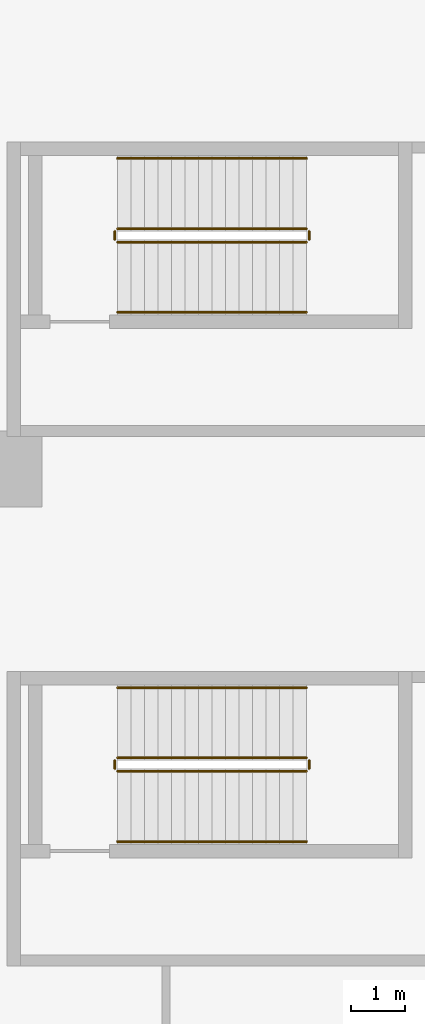
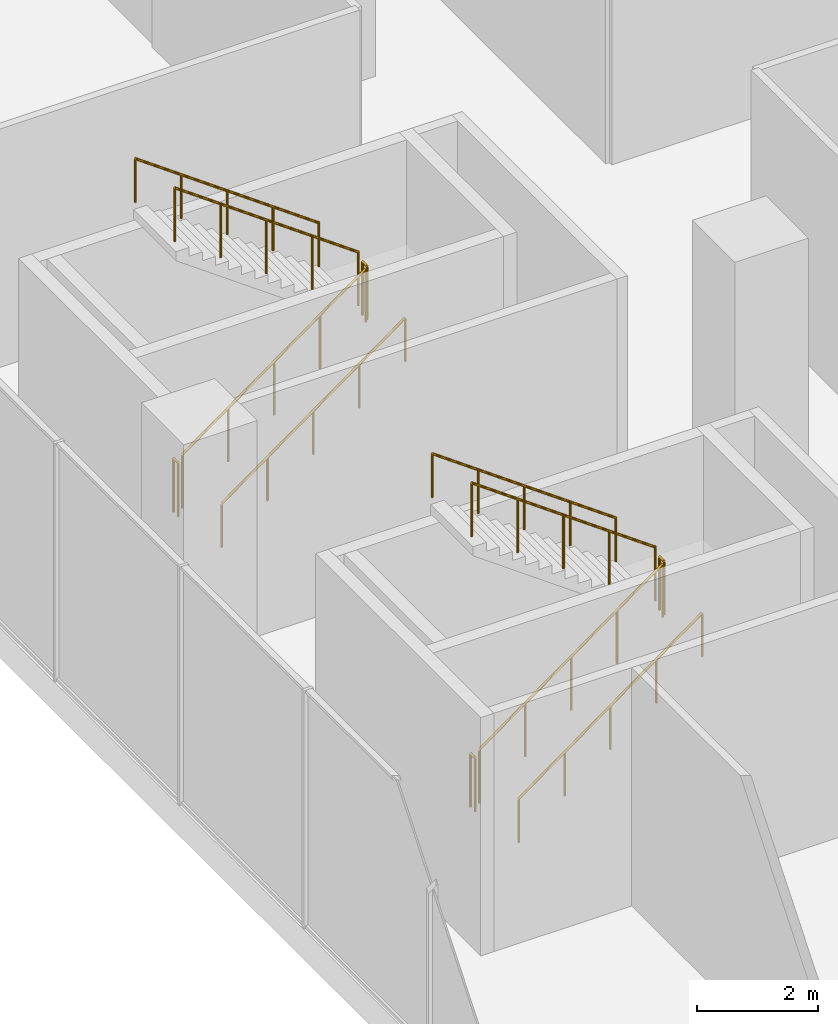
# One storey, part 21 of 23: 12 railings.
"""IFC4 building model written with IfcOpenShell, lengths in metres."""

from ifc_helpers import new_model, si_unit, direction, frame, origin, origin_2d, place, context, subcontext, project, spatial, circle, extrude, source, transform, mapped, material, type_object, element, save


model = new_model("IFC4")

# Units and contexts
model_context = context("Model", 3, precision=1e-05, world=origin(), true_north=direction((0.0, 1.0)))
body_context = subcontext(model_context, "Body", "Model", "MODEL_VIEW")
ifc_project = project(units=[si_unit("LENGTHUNIT", "METRE"), si_unit("AREAUNIT", "SQUARE_METRE"), si_unit("VOLUMEUNIT", "CUBIC_METRE"), si_unit("PLANEANGLEUNIT", "RADIAN"), si_unit("MASSUNIT", "GRAM", prefix="KILO")], contexts=[model_context])

# Site, building, storey
site_placement = place(None, origin())
site = spatial("IfcSite", under=ifc_project, at=site_placement, CompositionType="ELEMENT")
building_placement = place(site_placement, origin())
building = spatial("IfcBuilding", under=site, at=building_placement, Name="Aurelian Terraces", CompositionType="ELEMENT")
storey_placement = place(building_placement, frame((0.0, 0.0, 18.3)))
storey = spatial("IfcBuildingStorey", under=building, at=storey_placement, Name="L03", CompositionType="ELEMENT", Elevation=18.3)

# Railings
ifc_material = material(Name="Stainless steel", Category="steel")
railing_type_1 = type_object("IfcRailingType", Name="Stair guard 1100", PredefinedType="GUARDRAIL", material=ifc_material)
shared_shape_1 = source(origin(), body_context, "Body", "SweptSolid", [
    extrude(circle(Radius=0.024, at=origin_2d()), frame((0.0, 0.0, 1.076), z_axis=(0.0, 1.0, 0.0), x_axis=(-1.0, 0.0, 0.0)), (0.0, 0.0, 1.0), 0.15),
    extrude(circle(Radius=0.021, at=origin_2d()), origin(), (0.0, 0.0, 1.0), 1.052),
    extrude(circle(Radius=0.021, at=origin_2d()), frame((0.0, 0.15, 0.0)), (0.0, 0.0, 1.0), 1.052),
])
for number, where, name in (
    (1, (5.65, 42.05, 2.7), "L03 S3 stair guard 2"),
    (2, (2.05, 42.05, 0.0), "L03 S3 stair guard 4"),
    (3, (5.65, 32.25, 2.7), "L03 S4 stair guard 2"),
    (4, (2.05, 32.25, 0.0), "L03 S4 stair guard 4"),
):
    element("IfcRailing", number, at=place(storey_placement, frame(where)), inside=storey, type_object=railing_type_1, Name=name, PredefinedType="GUARDRAIL", context=body_context, shape_type="MappedRepresentation", body=[
        mapped(shared_shape_1, transform((0.0, 0.0, 0.0), scale=1.0)),
    ])
shared_shape_2 = source(origin(), body_context, "Body", "SweptSolid", [
    extrude(circle(Radius=0.024, at=origin_2d()), frame((0.0, 0.0, 1.076), z_axis=(0.811534341451, 0.0, 0.584304725845), x_axis=(0.0, 1.0, 0.0)), (0.0, 0.0, 1.0), 4.3128),
    extrude(circle(Radius=0.021, at=origin_2d()), origin(), (0.0, 0.0, 1.0), 1.052),
    extrude(circle(Radius=0.021, at=origin_2d()), frame((0.875, 0.0, 0.63)), (0.0, 0.0, 1.0), 1.052),
    extrude(circle(Radius=0.021, at=origin_2d()), frame((1.75, 0.0, 1.26)), (0.0, 0.0, 1.0), 1.052),
    extrude(circle(Radius=0.021, at=origin_2d()), frame((2.625, 0.0, 1.89)), (0.0, 0.0, 1.0), 1.052),
    extrude(circle(Radius=0.021, at=origin_2d()), frame((3.5, 0.0, 2.52)), (0.0, 0.0, 1.0), 1.052),
])
for number, where, name in (
    (5, (2.1, 42.0, 0.18), "L03 S3 stair guard 1"),
    (6, (2.1, 32.2, 0.18), "L03 S4 stair guard 1"),
):
    element("IfcRailing", number, at=place(storey_placement, frame(where)), inside=storey, type_object=railing_type_1, Name=name, PredefinedType="GUARDRAIL", context=body_context, shape_type="MappedRepresentation", body=[
        mapped(shared_shape_2, transform((0.0, 0.0, 0.0), scale=1.0)),
    ])
shared_shape_3 = source(origin(), body_context, "Body", "SweptSolid", [
    extrude(circle(Radius=0.024, at=origin_2d()), frame((0.0, 0.0, 1.076), z_axis=(-0.811534341451, 0.0, 0.584304725845), x_axis=(0.0, -1.0, 0.0)), (0.0, 0.0, 1.0), 4.3128),
    extrude(circle(Radius=0.021, at=origin_2d()), origin(), (0.0, 0.0, 1.0), 1.052),
    extrude(circle(Radius=0.021, at=origin_2d()), frame((-0.875, 0.0, 0.63)), (0.0, 0.0, 1.0), 1.052),
    extrude(circle(Radius=0.021, at=origin_2d()), frame((-1.75, 0.0, 1.26)), (0.0, 0.0, 1.0), 1.052),
    extrude(circle(Radius=0.021, at=origin_2d()), frame((-2.625, 0.0, 1.89)), (0.0, 0.0, 1.0), 1.052),
    extrude(circle(Radius=0.021, at=origin_2d()), frame((-3.5, 0.0, 2.52)), (0.0, 0.0, 1.0), 1.052),
])
for number, where, name in (
    (7, (5.6, 42.25, 2.88), "L03 S3 stair guard 3"),
    (8, (5.6, 32.45, 2.88), "L03 S4 stair guard 3"),
):
    element("IfcRailing", number, at=place(storey_placement, frame(where)), inside=storey, type_object=railing_type_1, Name=name, PredefinedType="GUARDRAIL", context=body_context, shape_type="MappedRepresentation", body=[
        mapped(shared_shape_3, transform((0.0, 0.0, 0.0), scale=1.0)),
    ])
railing_type_2 = type_object("IfcRailingType", Name="Stair handrail", PredefinedType="HANDRAIL", material=ifc_material)
shared_shape_4 = source(origin(), body_context, "Body", "SweptSolid", [
    extrude(circle(Radius=0.024, at=origin_2d()), frame((0.0, 0.0, 0.876), z_axis=(0.811534341451, 0.0, 0.584304725845), x_axis=(0.0, 1.0, 0.0)), (0.0, 0.0, 1.0), 4.3128),
    extrude(circle(Radius=0.021, at=origin_2d()), origin(), (0.0, 0.0, 1.0), 0.852),
    extrude(circle(Radius=0.021, at=origin_2d()), frame((0.875, 0.0, 0.63)), (0.0, 0.0, 1.0), 0.852),
    extrude(circle(Radius=0.021, at=origin_2d()), frame((1.75, 0.0, 1.26)), (0.0, 0.0, 1.0), 0.852),
    extrude(circle(Radius=0.021, at=origin_2d()), frame((2.625, 0.0, 1.89)), (0.0, 0.0, 1.0), 0.852),
    extrude(circle(Radius=0.021, at=origin_2d()), frame((3.5, 0.0, 2.52)), (0.0, 0.0, 1.0), 0.852),
])
for number, where, name in (
    (9, (2.1, 40.7, 0.18), "L03 S3 stair handrail 1"),
    (10, (2.1, 30.9, 0.18), "L03 S4 stair handrail 1"),
):
    element("IfcRailing", number, at=place(storey_placement, frame(where)), inside=storey, type_object=railing_type_2, Name=name, PredefinedType="HANDRAIL", context=body_context, shape_type="MappedRepresentation", body=[
        mapped(shared_shape_4, transform((0.0, 0.0, 0.0), scale=1.0)),
    ])
shared_shape_5 = source(origin(), body_context, "Body", "SweptSolid", [
    extrude(circle(Radius=0.024, at=origin_2d()), frame((0.0, 0.0, 0.876), z_axis=(-0.811534341451, 0.0, 0.584304725845), x_axis=(0.0, -1.0, 0.0)), (0.0, 0.0, 1.0), 4.3128),
    extrude(circle(Radius=0.021, at=origin_2d()), origin(), (0.0, 0.0, 1.0), 0.852),
    extrude(circle(Radius=0.021, at=origin_2d()), frame((-0.875, 0.0, 0.63)), (0.0, 0.0, 1.0), 0.852),
    extrude(circle(Radius=0.021, at=origin_2d()), frame((-1.75, 0.0, 1.26)), (0.0, 0.0, 1.0), 0.852),
    extrude(circle(Radius=0.021, at=origin_2d()), frame((-2.625, 0.0, 1.89)), (0.0, 0.0, 1.0), 0.852),
    extrude(circle(Radius=0.021, at=origin_2d()), frame((-3.5, 0.0, 2.52)), (0.0, 0.0, 1.0), 0.852),
])
for number, where, name in (
    (11, (5.6, 43.55, 2.88), "L03 S3 stair handrail 2"),
    (12, (5.6, 33.75, 2.88), "L03 S4 stair handrail 2"),
):
    element("IfcRailing", number, at=place(storey_placement, frame(where)), inside=storey, type_object=railing_type_2, Name=name, PredefinedType="HANDRAIL", context=body_context, shape_type="MappedRepresentation", body=[
        mapped(shared_shape_5, transform((0.0, 0.0, 0.0), scale=1.0)),
    ])

save(model, "model.ifc")
